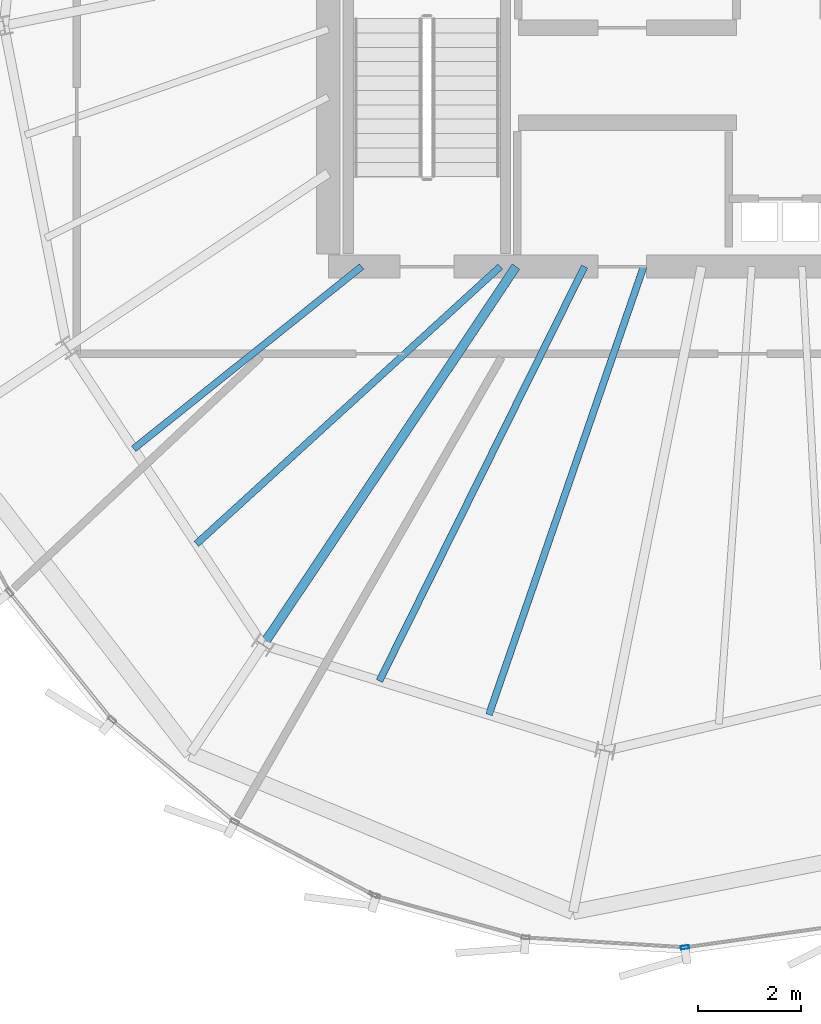
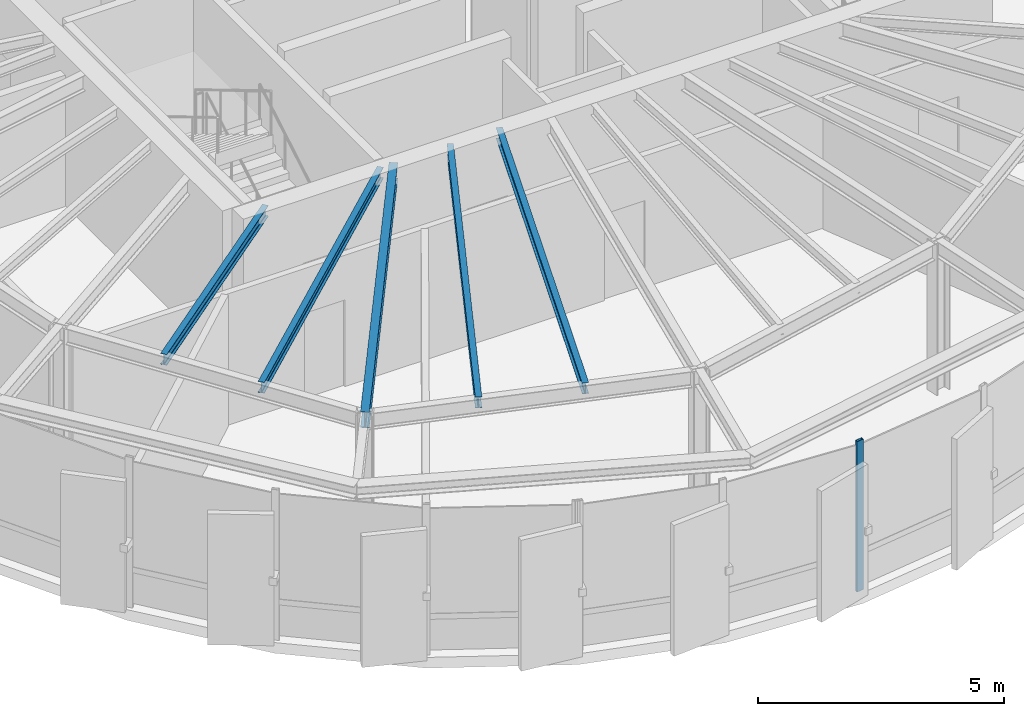
# One storey, part 5 of 27: 5 beams, 1 member, 1 element without a shape of its own.
"""IFC4 building model written with IfcOpenShell, lengths in metres."""

from ifc_helpers import new_model, si_unit, direction, frame, origin, origin_2d, place, context, subcontext, project, spatial, hollow_rectangle, i_section, extrude, source, transform, mapped, material, layer, layer_set, material_profile, profile_set, type_object, element, aggregate, save


model = new_model("IFC4")

# Units and contexts
model_context = context("Model", 3, precision=1e-05, world=origin(), true_north=direction((0.0, 1.0)))
body_context = subcontext(model_context, "Body", "Model", "MODEL_VIEW")
ifc_project = project(units=[si_unit("LENGTHUNIT", "METRE"), si_unit("AREAUNIT", "SQUARE_METRE"), si_unit("VOLUMEUNIT", "CUBIC_METRE"), si_unit("PLANEANGLEUNIT", "RADIAN"), si_unit("MASSUNIT", "GRAM", prefix="KILO"), si_unit("THERMODYNAMICTEMPERATUREUNIT", "KELVIN")], contexts=[model_context])

# Site, building, storey
site_placement = place(None, origin())
site = spatial("IfcSite", under=ifc_project, at=site_placement, CompositionType="ELEMENT")
building_placement = place(site_placement, origin())
building = spatial("IfcBuilding", under=site, at=building_placement, Name="Kethvar Cultural Tower", CompositionType="ELEMENT")
storey_placement = place(building_placement, frame((0.0, 0.0, 308.300048828125)))
storey = spatial("IfcBuildingStorey", under=building, at=storey_placement, Name="L82", CompositionType="ELEMENT", Elevation=308.300048828125)

# Beams
ifc_material_1 = material(Name="Steel S355J2", Category="steel")
ifc_material_profile_1 = material_profile(ifc_material_1, i_section(OverallWidth=0.135009765625, OverallDepth=0.27001953125, WebThickness=0.006591796875, FlangeThickness=0.01025390625, FilletRadius=0.014892578125, at=origin_2d()), Name="Steel S355J2 — IPE270")
ifc_profile_set_1 = profile_set([ifc_material_profile_1], Name="Steel S355J2 — IPE270")
beam_type_1 = type_object("IfcBeamType", Name="BM-J270", PredefinedType="JOIST", material=ifc_profile_set_1)
shared_shape_1 = source(origin(), body_context, "Body", "SweptSolid", [
    extrude(i_section(OverallWidth=0.135009765625, OverallDepth=0.27001953125, WebThickness=0.006591796875, FlangeThickness=0.01025390625, FilletRadius=0.014892578125, at=origin_2d()), origin(), (0.0, 0.0, 1.0), 5.68212890625),
])
beam_1_placement = place(storey_placement, frame((38.64990234375, 20.10009765625, 3.597900390625), z_axis=(-0.781157957733, -0.624333440615, 0.0), x_axis=(0.624333440615, -0.781157957733, 0.0)))
element("IfcBeam", 1, at=beam_1_placement, inside=storey, type_object=beam_type_1, Name="L82 Composite Floor Joist J-10A", PredefinedType="JOIST", context=body_context, shape_type="MappedRepresentation", body=[
    mapped(shared_shape_1, transform((0.0, 0.0, 0.0), scale=1.0)),
])
shared_shape_2 = source(origin(), body_context, "Body", "SweptSolid", [
    extrude(i_section(OverallWidth=0.135009765625, OverallDepth=0.27001953125, WebThickness=0.006591796875, FlangeThickness=0.01025390625, FilletRadius=0.014892578125, at=origin_2d()), origin(), (0.0, 0.0, 1.0), 8.010986328125),
])
beam_2_placement = place(storey_placement, frame((41.35009765625, 20.10009765625, 3.597900390625), z_axis=(-0.738614798856, -0.674127717061, 0.0), x_axis=(0.674127717061, -0.738614798856, 0.0)))
element("IfcBeam", 2, at=beam_2_placement, inside=storey, type_object=beam_type_1, Name="L82 Composite Floor Joist J-10B", PredefinedType="JOIST", context=body_context, shape_type="MappedRepresentation", body=[
    mapped(shared_shape_2, transform((0.0, 0.0, 0.0), scale=1.0)),
])
shared_shape_3 = source(origin(), body_context, "Body", "SweptSolid", [
    extrude(i_section(OverallWidth=0.135009765625, OverallDepth=0.27001953125, WebThickness=0.006591796875, FlangeThickness=0.01025390625, FilletRadius=0.014892578125, at=origin_2d()), origin(), (0.0, 0.0, 1.0), 9.00341796875),
])
beam_3_placement = place(storey_placement, frame((42.989501953125, 20.10009765625, 3.597900390625), z_axis=(-0.443543695319, -0.896252749141, 0.0), x_axis=(0.896252749141, -0.443543695319, 0.0)))
element("IfcBeam", 3, at=beam_3_placement, inside=storey, type_object=beam_type_1, Name="L82 Composite Floor Joist J-11A", PredefinedType="JOIST", context=body_context, shape_type="MappedRepresentation", body=[
    mapped(shared_shape_3, transform((0.0, 0.0, 0.0), scale=1.0)),
])
shared_shape_4 = source(origin(), body_context, "Body", "SweptSolid", [
    extrude(i_section(OverallWidth=0.135009765625, OverallDepth=0.27001953125, WebThickness=0.006591796875, FlangeThickness=0.01025390625, FilletRadius=0.014892578125, at=origin_2d()), origin(), (0.0, 0.0, 1.0), 9.234130859375),
])
beam_4_placement = place(storey_placement, frame((44.1416015625, 20.10009765625, 3.597900390625), z_axis=(-0.326362208058, -0.945244787953, 0.0), x_axis=(0.945244787953, -0.326362208058, 0.0)))
element("IfcBeam", 4, at=beam_4_placement, inside=storey, type_object=beam_type_1, Name="L82 Composite Floor Joist J-11B", PredefinedType="JOIST", context=body_context, shape_type="MappedRepresentation", body=[
    mapped(shared_shape_4, transform((0.0, 0.0, 0.0), scale=1.0)),
])
ifc_material_profile_2 = material_profile(ifc_material_1, i_section(OverallWidth=0.179931640625, OverallDepth=0.39990234375, WebThickness=0.008544921875, FlangeThickness=0.013427734375, FilletRadius=0.02099609375, at=origin_2d()), Name="Steel S355J2 — IPE400")
ifc_profile_set_2 = profile_set([ifc_material_profile_2], Name="Steel S355J2 — IPE400")
beam_type_2 = type_object("IfcBeamType", Name="BM-IPE400", PredefinedType="BEAM", material=ifc_profile_set_2)
shared_shape_5 = source(origin(), body_context, "Body", "SweptSolid", [
    extrude(i_section(OverallWidth=0.179931640625, OverallDepth=0.39990234375, WebThickness=0.008544921875, FlangeThickness=0.013427734375, FilletRadius=0.02099609375, at=origin_2d()), origin(), (0.0, 0.0, 1.0), 8.86279296875),
])
beam_5_placement = place(storey_placement, frame((41.655029296875, 20.10009765625, 3.532958984375), z_axis=(-0.555564443415, -0.831473480764, 0.0), x_axis=(0.831473480764, -0.555564443415, 0.0)))
element("IfcBeam", 5, at=beam_5_placement, inside=storey, type_object=beam_type_2, Name="L82 Primary Radial Beam RB-11", PredefinedType="BEAM", context=body_context, shape_type="MappedRepresentation", body=[
    mapped(shared_shape_5, transform((0.0, 0.0, 0.0), scale=1.0)),
])

# Curtain wall, member
ifc_material_2 = material(Name="Aluminium 6063-T6", Category="aluminium")
ifc_layer = layer(ifc_material_2, 0.179931640625, Name="Aluminium 6063-T6", Category="aluminium")
ifc_layer_set = layer_set([ifc_layer], Name="Aluminium 6063-T6 (180 mm)")
curtain_wall_type = type_object("IfcCurtainWallType", Name="CW-SYS-06-CROWN", PredefinedType="NOTDEFINED", material=ifc_layer_set)
curtain_wall_placement = place(storey_placement, origin())
curtain_wall = element("IfcCurtainWall", 6, at=curtain_wall_placement, inside=storey, type_object=curtain_wall_type, Name="L82 Curtain Wall Run 04", PredefinedType="NOTDEFINED")
ifc_material_profile_3 = material_profile(ifc_material_2, hollow_rectangle(XDim=0.06494140625, YDim=0.159912109375, WallThickness=0.0048828125, at=origin_2d()), Name="Aluminium 6063-T6 — RHS160x65x5")
ifc_profile_set_3 = profile_set([ifc_material_profile_3], Name="Aluminium 6063-T6 — RHS160x65x5")
member_type = type_object("IfcMemberType", Name="CW-SYS-06-CROWN-MUL", PredefinedType="MULLION", material=ifc_profile_set_3)
shared_shape_6 = source(origin(), body_context, "Body", "SweptSolid", [
    extrude(hollow_rectangle(XDim=0.06494140625, YDim=0.159912109375, WallThickness=0.0048828125, at=origin_2d()), origin(), (0.0, 0.0, 1.0), 3.73486328125),
])
member_placement = place(storey_placement, frame((44.944580078125, 6.84375, 0.0), z_axis=(0.0, 0.0, 1.0), x_axis=(-0.139760713323, 0.99018530741, 0.0)))
member = element("IfcMember", 7, at=member_placement, type_object=member_type, Name="CW-L82-R04 Mullion 3", PredefinedType="MULLION", context=body_context, shape_type="MappedRepresentation", body=[
    mapped(shared_shape_6, transform((0.0, 0.0, 0.0), scale=1.0)),
])
aggregate(curtain_wall, [member])

save(model, "model.ifc")
